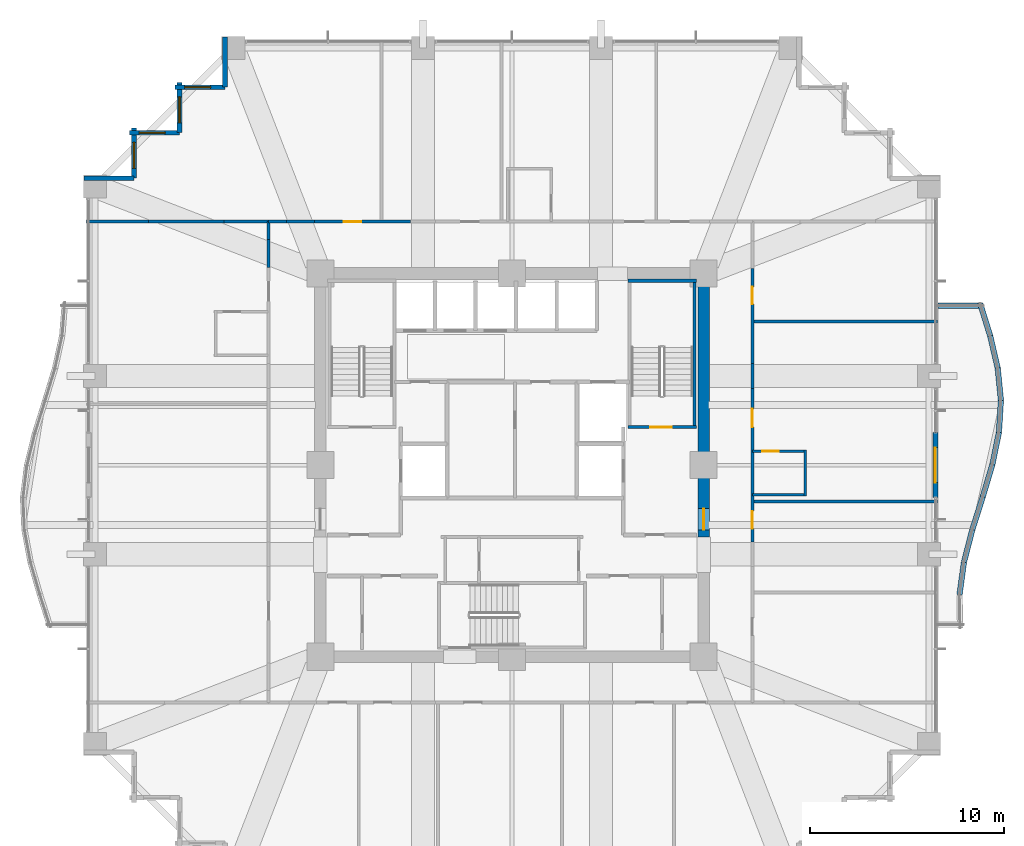
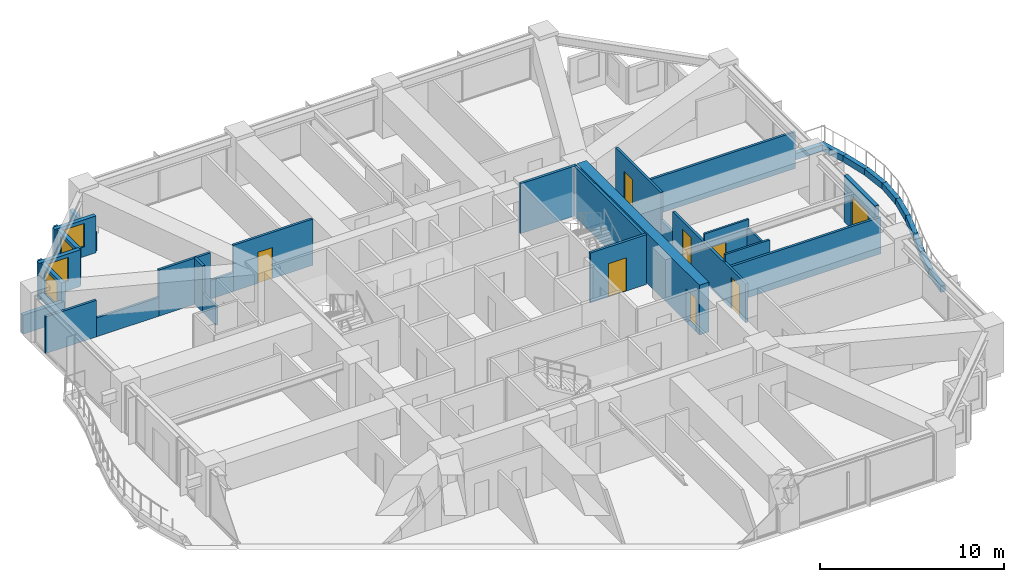
# One storey, part 36 of 39: 37 walls, 8 doors, 4 windows, 12 openings.
"""IFC4 building model written with IfcOpenShell, lengths in metres."""

import ifcopenshell
import ifcopenshell.guid

model = None  # the IFC model being written
_history = None  # IfcOwnerHistory: only IFC2X3 demands one
_inside = {}  # id of a spatial element -> (the spatial element, [elements in it])
_under = {}  # id of a project, library or spatial element -> (it, [spatial elements below it])
_declared = {}  # id of a project -> (the project, [libraries it declares])
_typed = {}  # id of a type object -> (the type object, [elements of that type])
_made_of = {}  # id of a material, layer set ... -> (it, [elements and type objects made of it])


def new_model(schema):
    """Start an empty IFC model of exactly this schema.

    Asked for "IFC4X3", IfcOpenShell would pick the latest addendum, in which some entities
    have other attributes; the version numbers below select the first issue.
    IFC2X3 requires an IfcOwnerHistory on every rooted entity: one is made here for all.
    """
    global model, _history
    if schema == "IFC4X3":
        model = ifcopenshell.file(schema_version=(4, 3, 0, 0))
    else:
        model = ifcopenshell.file(schema=schema)
    _inside.clear()
    _under.clear()
    _declared.clear()
    _typed.clear()
    _made_of.clear()
    _history = None
    if model.schema == "IFC2X3":
        org = make("IfcOrganization", Name="unknown")
        user = make(
            "IfcPersonAndOrganization",
            ThePerson=make("IfcPerson", FamilyName="unknown"),
            TheOrganization=org,
        )
        app = make(
            "IfcApplication",
            ApplicationDeveloper=org,
            Version="unknown",
            ApplicationFullName="unknown",
            ApplicationIdentifier="unknown",
        )
        _history = make(
            "IfcOwnerHistory",
            OwningUser=user,
            OwningApplication=app,
            ChangeAction="ADDED",
            CreationDate=0,
        )
    return model


def make(cls, **values):
    """One entity of the class cls with the attributes given. An attribute that is None is left unset."""
    return model.create_entity(
        cls, **{name: value for name, value in values.items() if value is not None}
    )


def rooted(cls, **values):
    """An entity with a GlobalId (a new one), such as an element, a storey or a relation."""
    return make(cls, GlobalId=ifcopenshell.guid.new(), OwnerHistory=_history, **values)


def si_unit(unit_type, name, prefix=None):
    """IfcSIUnit, for example si_unit("LENGTHUNIT", "METRE", prefix="MILLI")."""
    return make("IfcSIUnit", UnitType=unit_type, Prefix=prefix, Name=name)


def assignment(units):
    """IfcUnitAssignment: the units of a project."""
    return None if units is None else make("IfcUnitAssignment", Units=units)


def point(xyz):
    """IfcCartesianPoint."""
    return None if xyz is None else make("IfcCartesianPoint", Coordinates=xyz)


def direction(xyz):
    """IfcDirection."""
    return None if xyz is None else make("IfcDirection", DirectionRatios=xyz)


def frame(location, z_axis=None, x_axis=None):
    """IfcAxis2Placement3D, a coordinate frame: its origin and axes. An axis left out is left unset."""
    return make(
        "IfcAxis2Placement3D",
        Location=point(location),
        Axis=direction(z_axis),
        RefDirection=direction(x_axis),
    )


def frame_2d(location, x_axis=None):
    """IfcAxis2Placement2D, a coordinate frame in the plane: its origin and x axis."""
    return make(
        "IfcAxis2Placement2D", Location=point(location), RefDirection=direction(x_axis)
    )


def origin():
    """The frame at (0, 0, 0) with its axes left unset."""
    return frame((0.0, 0.0, 0.0))


def place(relative_to, where):
    """IfcLocalPlacement: puts the frame where relative to a parent placement (None: the world)."""
    return make(
        "IfcLocalPlacement", PlacementRelTo=relative_to, RelativePlacement=where
    )


def context(
    kind, dimensions, precision=None, world=None, true_north=None, identifier=None
):
    """IfcGeometricRepresentationContext, for example the 3D "Model" context."""
    return make(
        "IfcGeometricRepresentationContext",
        ContextIdentifier=identifier,
        ContextType=kind,
        CoordinateSpaceDimension=dimensions,
        Precision=precision,
        WorldCoordinateSystem=world,
        TrueNorth=true_north,
    )


def subcontext(parent, identifier, kind, view, scale=None):
    """IfcGeometricRepresentationSubContext, for example "Body" below "Model"."""
    return make(
        "IfcGeometricRepresentationSubContext",
        ContextIdentifier=identifier,
        ContextType=kind,
        ParentContext=parent,
        TargetScale=scale,
        TargetView=view,
    )


def project(units=None, contexts=None):
    """IfcProject with its units and contexts."""
    return rooted(
        "IfcProject",
        Name="project",
        RepresentationContexts=contexts,
        UnitsInContext=assignment(units),
    )


def spatial(cls, under=None, at=None, **own):
    """A site, building, storey or space (cls), placed at a placement, below another one or the project."""
    s = rooted(cls, ObjectPlacement=at, **own)
    if under is not None:
        _under.setdefault(under.id(), (under, []))[1].append(s)
    return s


def profile(cls, at=None, kind="AREA", **sizes):
    """A parametric profile (cls). Its sizes go by their IFC names, for example OverallWidth=200.0."""
    return make(cls, ProfileType=kind, Position=at, **sizes)


def rectangle(**sizes):
    """IfcRectangleProfileDef."""
    return profile("IfcRectangleProfileDef", **sizes)


def extrude(swept, where, along, depth):
    """IfcExtrudedAreaSolid: the profile swept, set in the frame where, extruded along a direction by depth."""
    return make(
        "IfcExtrudedAreaSolid",
        SweptArea=swept,
        Position=where,
        ExtrudedDirection=direction(along),
        Depth=depth,
    )


def shape(context_of_items, identifier, shape_type, items):
    """IfcShapeRepresentation: the items that make up one representation, for example the "Body"."""
    return make(
        "IfcShapeRepresentation",
        ContextOfItems=context_of_items,
        RepresentationIdentifier=identifier,
        RepresentationType=shape_type,
        Items=items,
    )


def material(Name=None, Category=None):
    """IfcMaterial."""
    return make("IfcMaterial", Name=Name, Category=Category)


def layer(
    of_material, thickness, ventilated=None, Name=None, Category=None, Priority=None
):
    """IfcMaterialLayer: one layer of a wall or slab, of a material (None: an air gap)."""
    return make(
        "IfcMaterialLayer",
        Material=of_material,
        LayerThickness=thickness,
        IsVentilated=ventilated,
        Name=Name,
        Category=Category,
        Priority=Priority,
    )


def layer_set(layers, Name=None):
    """IfcMaterialLayerSet."""
    return make("IfcMaterialLayerSet", MaterialLayers=layers, LayerSetName=Name)


def made_of(thing, what):
    """Note that an element or type object is made of a material, layer set ...; save() writes the relation."""
    if what is not None:
        _made_of.setdefault(what.id(), (what, []))[1].append(thing)
    return thing


def type_object(cls, material=None, **own):
    """A type object (cls), such as IfcWallType, which elements share."""
    return made_of(rooted(cls, **own), material)


def element(
    cls,
    number,
    at=None,
    inside=None,
    cuts=None,
    type_object=None,
    material=None,
    context=None,
    identifier="Body",
    shape_type=None,
    held_by="IfcProductDefinitionShape",
    body=None,
    shapes=None,
    **own,
):
    """One element of the class cls, such as IfcWall. Its Tag is "e" and its number.

    at: its placement. inside: the storey or other place that contains it. cuts: it is an
    opening in that element (IfcRelVoidsElement). A single representation is given by context,
    identifier, shape_type and body (its items); several are given by shapes. held_by: the class
    of the entity that holds the representations. save() writes the other relations.
    """
    e = rooted(cls, Tag="e%d" % number, ObjectPlacement=at, **own)
    if body is not None:
        shapes = [shape(context, identifier, shape_type, body)]
    if shapes is not None:
        e.Representation = make(held_by, Representations=shapes)
    if inside is not None:
        _inside.setdefault(inside.id(), (inside, []))[1].append(e)
    if cuts is not None:
        rooted(
            "IfcRelVoidsElement", RelatingBuildingElement=cuts, RelatedOpeningElement=e
        )
    if type_object is not None:
        _typed.setdefault(type_object.id(), (type_object, []))[1].append(e)
    return made_of(e, material)


def fill(opening, filler):
    """IfcRelFillsElement: the door or window that sits in an opening."""
    return rooted(
        "IfcRelFillsElement",
        RelatingOpeningElement=opening,
        RelatedBuildingElement=filler,
    )


def aggregate(whole, parts):
    """IfcRelAggregates: a whole, such as a stair, and the parts it consists of."""
    return rooted("IfcRelAggregates", RelatingObject=whole, RelatedObjects=parts)


def save(model, path):
    """Write the relations noted so far, then the file.

    IfcRelAggregates (storeys below a building ...), IfcRelContainedInSpatialStructure (elements
    in a storey), IfcRelDefinesByType, IfcRelAssociatesMaterial and IfcRelDeclares: one each for
    every whole, place, type object, material and project.
    """
    for whole, parts in _under.values():
        aggregate(whole, parts)
    for where, things in _inside.values():
        rooted(
            "IfcRelContainedInSpatialStructure",
            RelatedElements=things,
            RelatingStructure=where,
        )
    for kind, things in _typed.values():
        rooted("IfcRelDefinesByType", RelatedObjects=things, RelatingType=kind)
    for what, things in _made_of.values():
        rooted("IfcRelAssociatesMaterial", RelatedObjects=things, RelatingMaterial=what)
    for by, libraries in _declared.values():
        rooted("IfcRelDeclares", RelatingContext=by, RelatedDefinitions=libraries)
    model.write(path)


model = new_model("IFC4")

# Units and contexts
model_context = context("Model", 3, precision=1e-05, world=origin(), true_north=direction((0.0, 1.0)))
body_context = subcontext(model_context, "Body", "Model", "MODEL_VIEW")
ifc_project = project(units=[si_unit("LENGTHUNIT", "METRE"), si_unit("AREAUNIT", "SQUARE_METRE"), si_unit("VOLUMEUNIT", "CUBIC_METRE"), si_unit("PLANEANGLEUNIT", "RADIAN"), si_unit("MASSUNIT", "GRAM", prefix="KILO")], contexts=[model_context])

# Site, building, storey
site_placement = place(None, origin())
site = spatial("IfcSite", under=ifc_project, at=site_placement, CompositionType="ELEMENT")
building_placement = place(site_placement, origin())
building = spatial("IfcBuilding", under=site, at=building_placement, Name="Kolvaren Belvedere", CompositionType="ELEMENT")
storey_placement = place(building_placement, frame((0.0, 0.0, 40.300048828125)))
storey = spatial("IfcBuildingStorey", under=building, at=storey_placement, Name="L11", CompositionType="ELEMENT", Elevation=40.300048828125)

# Wall, opening, door
ifc_material_1 = material(Name="Concrete C60/75", Category="concrete")
ifc_layer_1 = layer(ifc_material_1, 0.60009765625)
ifc_layer_set_1 = layer_set([ifc_layer_1], Name="Concrete C60/75")
wall_type_1 = type_object("IfcWallType", Name="CW-CORE-600", PredefinedType="SHEAR", material=ifc_layer_set_1)
wall_1_placement = place(storey_placement, frame((9.89990234375, -3.699951171875, 0.0), z_axis=(0.0, 0.0, 1.0), x_axis=(0.0, 1.0, 0.0)))
wall_1 = element("IfcWall", 1, at=wall_1_placement, inside=storey, type_object=wall_type_1, Name="L11 East Core Shear Wall 2", PredefinedType="SHEAR", context=body_context, shape_type="SweptSolid", body=[
    extrude(rectangle(XDim=13.300048828125, YDim=0.60009765625, at=frame_2d((6.64990234375, 0.0))), origin(), (0.0, 0.0, 1.0), 3.300048828125),
])
opening_1_placement = place(wall_1_placement, frame((0.35009765625, 0.0, 0.0)))
opening_1 = element("IfcOpeningElement", 2, at=opening_1_placement, cuts=wall_1, Name="Opening D-FD90", PredefinedType="OPENING", context=body_context, shape_type="SweptSolid", body=[
    extrude(rectangle(XDim=1.10009765625, YDim=2.199951171875, at=frame_2d((0.550048828125, 1.10009765625))), frame((0.0, 0.31005859375, 0.0), z_axis=(0.0, -1.0, 0.0), x_axis=(1.0, 0.0, 0.0)), (0.0, 0.0, 1.0), 0.6201171875),
])
ifc_material_2 = material(Name="Painted hollow stainless steel", Category="steel")
door_type_1 = type_object("IfcDoorType", Name="DR-FD90-1100", OperationType="NOTDEFINED", PredefinedType="DOOR", material=ifc_material_2)
door_1_placement = place(opening_1_placement, origin())
door_1 = element("IfcDoor", 3, at=door_1_placement, inside=storey, type_object=door_type_1, Name="L11 East Firefighting Lobby Fire Door", OperationType="SINGLE_SWING_RIGHT", OverallHeight=2.199951171875, OverallWidth=1.10009765625, PredefinedType="DOOR", context=body_context, shape_type="SweptSolid", body=[
    extrude(rectangle(XDim=1.10009765625, YDim=2.199951171875, at=frame_2d((0.550048828125, 1.10009765625))), frame((0.0, 0.02490234375, 0.0), z_axis=(0.0, -1.0, 0.0), x_axis=(1.0, 0.0, 0.0)), (0.0, 0.0, 1.0), 0.050048828125),
])
fill(opening_1, door_1)

ifc_material_3 = material(Name="Concrete C50/60", Category="concrete")
ifc_layer_2 = layer(ifc_material_3, 0.159912109375)
ifc_layer_set_2 = layer_set([ifc_layer_2], Name="Concrete C50/60")
wall_type_2 = type_object("IfcWallType", Name="CW-STAIR-160", PredefinedType="SHEAR", material=ifc_layer_set_2)
wall_2_placement = place(storey_placement, frame((6.0, 1.969970703125, 0.0), z_axis=(0.0, 0.0, 1.0), x_axis=(1.0, 0.0, 0.0)))
wall_2 = element("IfcWall", 4, at=wall_2_placement, inside=storey, type_object=wall_type_2, Name="L11 Stair ST-2 South Shear Wall", PredefinedType="SHEAR", context=body_context, shape_type="SweptSolid", body=[
    extrude(rectangle(XDim=3.52001953125, YDim=0.159912109375, at=frame_2d((1.760009765625, 0.0))), origin(), (0.0, 0.0, 1.0), 3.300048828125),
])
opening_2_placement = place(wall_2_placement, frame((1.14990234375, 0.0, 0.0)))
opening_2 = element("IfcOpeningElement", 5, at=opening_2_placement, cuts=wall_2, Name="Opening D-FD90", PredefinedType="OPENING", context=body_context, shape_type="SweptSolid", body=[
    extrude(rectangle(XDim=1.10009765625, YDim=2.199951171875, at=frame_2d((0.550048828125, 1.10009765625))), frame((0.0, 0.08984375, 0.0), z_axis=(0.0, -1.0, 0.0), x_axis=(1.0, 0.0, 0.0)), (0.0, 0.0, 1.0), 0.179931640625),
])
door_2_placement = place(opening_2_placement, origin())
door_2 = element("IfcDoor", 6, at=door_2_placement, inside=storey, type_object=door_type_1, Name="L11 Stair ST-2 Fire Door", OperationType="SINGLE_SWING_RIGHT", OverallHeight=2.199951171875, OverallWidth=1.10009765625, PredefinedType="DOOR", context=body_context, shape_type="SweptSolid", body=[
    extrude(rectangle(XDim=1.10009765625, YDim=2.199951171875, at=frame_2d((0.550048828125, 1.10009765625))), frame((0.0, 0.02490234375, 0.0), z_axis=(0.0, -1.0, 0.0), x_axis=(1.0, 0.0, 0.0)), (0.0, 0.0, 1.0), 0.050048828125),
])
fill(opening_2, door_2)

# Walls
wall_3_placement = place(storey_placement, frame((6.0, 9.530029296875, 0.0), z_axis=(0.0, 0.0, 1.0), x_axis=(1.0, 0.0, 0.0)))
element("IfcWall", 7, at=wall_3_placement, inside=storey, type_object=wall_type_2, Name="L11 Stair ST-2 North Shear Wall", PredefinedType="SHEAR", context=body_context, shape_type="SweptSolid", body=[
    extrude(rectangle(XDim=3.52001953125, YDim=0.159912109375, at=frame_2d((1.760009765625, 0.0))), origin(), (0.0, 0.0, 1.0), 3.300048828125),
])
wall_4_placement = place(storey_placement, frame((9.429931640625, 1.969970703125, 0.0), z_axis=(0.0, 0.0, 1.0), x_axis=(0.0, 1.0, 0.0)))
element("IfcWall", 8, at=wall_4_placement, inside=storey, type_object=wall_type_2, Name="L11 Stair ST-2 East Shear Wall", PredefinedType="SHEAR", context=body_context, shape_type="SweptSolid", body=[
    extrude(rectangle(XDim=7.56005859375, YDim=0.159912109375, at=frame_2d((3.780029296875, 0.0))), origin(), (0.0, 0.0, 1.0), 3.300048828125),
])
ifc_material_4 = material(Name="Gypsum fire-rated partition assembly", Category="gypsum")
ifc_layer_3 = layer(ifc_material_4, 0.14990234375)
ifc_layer_set_3 = layer_set([ifc_layer_3], Name="Gypsum fire-rated partition assembly")
wall_type_3 = type_object("IfcWallType", Name="WL-CORR-150", PredefinedType="PARTITIONING", material=ifc_layer_set_3)
wall_5_placement = place(storey_placement, frame((-12.580078125, 12.580078125, 0.0), z_axis=(0.0, 0.0, 1.0), x_axis=(1.0, 0.0, 0.0)))
element("IfcWall", 9, at=wall_5_placement, inside=storey, type_object=wall_type_3, Name="L11 North Corridor Wall", PredefinedType="PARTITIONING", context=body_context, shape_type="SweptSolid", body=[
    extrude(rectangle(XDim=0.92529296875, YDim=0.14990234375, at=frame_2d((0.462646484375, 0.0))), origin(), (0.0, 0.0, 1.0), 3.06005859375),
])
wall_6_placement = place(storey_placement, frame((-11.65478515625, 12.580078125, 0.0), z_axis=(0.0, 0.0, 1.0), x_axis=(1.0, 0.0, 0.0)))
element("IfcWall", 10, at=wall_6_placement, inside=storey, type_object=wall_type_3, Name="L11 North Corridor Wall", PredefinedType="PARTITIONING", context=body_context, shape_type="SweptSolid", body=[
    extrude(rectangle(XDim=1.439208984375, YDim=0.14990234375, at=frame_2d((0.7197265625, 0.0))), origin(), (0.0, 0.0, 1.0), 1.244873046875),
])

# Wall, opening, door
wall_7_placement = place(storey_placement, frame((-10.215576171875, 12.580078125, 0.0), z_axis=(0.0, 0.0, 1.0), x_axis=(1.0, 0.0, 0.0)))
wall_7 = element("IfcWall", 11, at=wall_7_placement, inside=storey, type_object=wall_type_3, Name="L11 North Corridor Wall", PredefinedType="PARTITIONING", context=body_context, shape_type="SweptSolid", body=[
    extrude(rectangle(XDim=4.9736328125, YDim=0.14990234375, at=frame_2d((2.48681640625, 0.0))), origin(), (0.0, 0.0, 1.0), 3.06005859375),
])
opening_3_placement = place(wall_7_placement, frame((1.535400390625, 0.0, 0.0)))
opening_3 = element("IfcOpeningElement", 12, at=opening_3_placement, cuts=wall_7, Name="Opening D-INT90", PredefinedType="OPENING", context=body_context, shape_type="SweptSolid", body=[
    extrude(rectangle(XDim=0.89990234375, YDim=2.06005859375, at=frame_2d((0.449951171875, 1.030029296875))), frame((0.0, 0.0849609375, 0.0), z_axis=(0.0, -1.0, 0.0), x_axis=(1.0, 0.0, 0.0)), (0.0, 0.0, 1.0), 0.169921875),
])
ifc_material_5 = material(Name="Stained Pacific white oak", Category="timber")
door_type_2 = type_object("IfcDoorType", Name="DR-INT-900", OperationType="NOTDEFINED", PredefinedType="DOOR", material=ifc_material_5)
door_3_placement = place(opening_3_placement, origin())
door_3 = element("IfcDoor", 13, at=door_3_placement, inside=storey, type_object=door_type_2, Name="L11 Lounge 1112 Door", OperationType="SINGLE_SWING_RIGHT", OverallHeight=2.06005859375, OverallWidth=0.89990234375, PredefinedType="DOOR", context=body_context, shape_type="SweptSolid", body=[
    extrude(rectangle(XDim=0.89990234375, YDim=2.06005859375, at=frame_2d((0.449951171875, 1.030029296875))), frame((0.0, 0.02490234375, 0.0), z_axis=(0.0, -1.0, 0.0), x_axis=(1.0, 0.0, 0.0)), (0.0, 0.0, 1.0), 0.050048828125),
])
fill(opening_3, door_3)

# Walls
wall_8_placement = place(storey_placement, frame((-12.580078125, 10.215576171875, 0.0), z_axis=(0.0, 0.0, 1.0), x_axis=(0.0, 1.0, 0.0)))
element("IfcWall", 14, at=wall_8_placement, inside=storey, type_object=wall_type_3, Name="L11 West Corridor Wall", PredefinedType="PARTITIONING", context=body_context, shape_type="SweptSolid", body=[
    extrude(rectangle(XDim=1.439208984375, YDim=0.14990234375, at=frame_2d((0.7197265625, 0.0))), origin(), (0.0, 0.0, 1.0), 1.244873046875),
])
wall_9_placement = place(storey_placement, frame((-12.580078125, 11.65478515625, 0.0), z_axis=(0.0, 0.0, 1.0), x_axis=(0.0, 1.0, 0.0)))
element("IfcWall", 15, at=wall_9_placement, inside=storey, type_object=wall_type_3, Name="L11 West Corridor Wall", PredefinedType="PARTITIONING", context=body_context, shape_type="SweptSolid", body=[
    extrude(rectangle(XDim=0.92529296875, YDim=0.14990234375, at=frame_2d((0.462646484375, 0.0))), origin(), (0.0, 0.0, 1.0), 3.06005859375),
])

# Wall, openings, doors
wall_10_placement = place(storey_placement, frame((12.419921875, -3.9580078125, 0.0), z_axis=(0.0, 0.0, 1.0), x_axis=(0.0, 1.0, 0.0)))
wall_10 = element("IfcWall", 16, at=wall_10_placement, inside=storey, type_object=wall_type_3, Name="L11 East Corridor Wall", PredefinedType="PARTITIONING", context=body_context, shape_type="SweptSolid", body=[
    extrude(rectangle(XDim=7.916015625, YDim=0.14990234375, at=frame_2d((3.9580078125, 0.0))), origin(), (0.0, 0.0, 1.0), 2.5849609375),
])
opening_4_placement = place(wall_10_placement, frame((0.682373046875, 0.0, 0.0)))
opening_4 = element("IfcOpeningElement", 17, at=opening_4_placement, cuts=wall_10, Name="Opening D-INT90", PredefinedType="OPENING", context=body_context, shape_type="SweptSolid", body=[
    extrude(rectangle(XDim=0.89990234375, YDim=2.06005859375, at=frame_2d((0.449951171875, 1.030029296875))), frame((0.0, 0.0849609375, 0.0), z_axis=(0.0, -1.0, 0.0), x_axis=(1.0, 0.0, 0.0)), (0.0, 0.0, 1.0), 0.169921875),
])
opening_5_placement = place(wall_10_placement, frame((5.91748046875, 0.0, 0.0)))
opening_5 = element("IfcOpeningElement", 18, at=opening_5_placement, cuts=wall_10, Name="Opening D-FD60", PredefinedType="OPENING", context=body_context, shape_type="SweptSolid", body=[
    extrude(rectangle(XDim=0.949951171875, YDim=2.06005859375, at=frame_2d((0.47509765625, 1.030029296875))), frame((0.0, 0.0849609375, 0.0), z_axis=(0.0, -1.0, 0.0), x_axis=(1.0, 0.0, 0.0)), (0.0, 0.0, 1.0), 0.169921875),
])
ifc_material_6 = material(Name="Acoustic white-oak fire door leaf", Category="timber")
door_type_3 = type_object("IfcDoorType", Name="DR-FD60-950", OperationType="NOTDEFINED", PredefinedType="DOOR", material=ifc_material_6)
door_4_placement = place(opening_5_placement, origin())
door_4 = element("IfcDoor", 19, at=door_4_placement, inside=storey, type_object=door_type_3, Name="L11 King Guest Room 1108 Entry Door", OperationType="SINGLE_SWING_LEFT", OverallHeight=2.06005859375, OverallWidth=0.949951171875, PredefinedType="DOOR", context=body_context, shape_type="SweptSolid", body=[
    extrude(rectangle(XDim=0.949951171875, YDim=2.06005859375, at=frame_2d((0.47509765625, 1.030029296875))), frame((0.0, 0.02490234375, 0.0), z_axis=(0.0, -1.0, 0.0), x_axis=(1.0, 0.0, 0.0)), (0.0, 0.0, 1.0), 0.050048828125),
])
fill(opening_5, door_4)
door_5_placement = place(opening_4_placement, origin())
door_5 = element("IfcDoor", 20, at=door_5_placement, inside=storey, type_object=door_type_2, Name="L11 Lounge 1107 Door", OperationType="SINGLE_SWING_LEFT", OverallHeight=2.06005859375, OverallWidth=0.89990234375, PredefinedType="DOOR", context=body_context, shape_type="SweptSolid", body=[
    extrude(rectangle(XDim=0.89990234375, YDim=2.06005859375, at=frame_2d((0.449951171875, 1.030029296875))), frame((0.0, 0.02490234375, 0.0), z_axis=(0.0, -1.0, 0.0), x_axis=(1.0, 0.0, 0.0)), (0.0, 0.0, 1.0), 0.050048828125),
])
fill(opening_4, door_5)

# Wall
wall_11_placement = place(storey_placement, frame((12.419921875, 3.9580078125, 0.0), z_axis=(0.0, 0.0, 1.0), x_axis=(0.0, 1.0, 0.0)))
element("IfcWall", 21, at=wall_11_placement, inside=storey, type_object=wall_type_3, Name="L11 East Corridor Wall", PredefinedType="PARTITIONING", context=body_context, shape_type="SweptSolid", body=[
    extrude(rectangle(XDim=1.283935546875, YDim=0.14990234375, at=frame_2d((0.64208984375, 0.0))), origin(), (0.0, 0.0, 1.0), 1.244873046875),
])

# Wall, opening, door
wall_12_placement = place(storey_placement, frame((12.419921875, 5.241943359375, 0.0), z_axis=(0.0, 0.0, 1.0), x_axis=(0.0, 1.0, 0.0)))
wall_12 = element("IfcWall", 22, at=wall_12_placement, inside=storey, type_object=wall_type_3, Name="L11 East Corridor Wall", PredefinedType="PARTITIONING", context=body_context, shape_type="SweptSolid", body=[
    extrude(rectangle(XDim=4.911865234375, YDim=0.14990234375, at=frame_2d((2.4560546875, 0.0))), origin(), (0.0, 0.0, 1.0), 3.06005859375),
])
opening_6_placement = place(wall_12_placement, frame((3.074951171875, 0.0, 0.0)))
opening_6 = element("IfcOpeningElement", 23, at=opening_6_placement, cuts=wall_12, Name="Opening D-INT90", PredefinedType="OPENING", context=body_context, shape_type="SweptSolid", body=[
    extrude(rectangle(XDim=0.89990234375, YDim=2.06005859375, at=frame_2d((0.449951171875, 1.030029296875))), frame((0.0, 0.0849609375, 0.0), z_axis=(0.0, -1.0, 0.0), x_axis=(1.0, 0.0, 0.0)), (0.0, 0.0, 1.0), 0.169921875),
])
door_6_placement = place(opening_6_placement, origin())
door_6 = element("IfcDoor", 24, at=door_6_placement, inside=storey, type_object=door_type_2, Name="L11 Lounge 1109 Door", OperationType="SINGLE_SWING_RIGHT", OverallHeight=2.06005859375, OverallWidth=0.89990234375, PredefinedType="DOOR", context=body_context, shape_type="SweptSolid", body=[
    extrude(rectangle(XDim=0.89990234375, YDim=2.06005859375, at=frame_2d((0.449951171875, 1.030029296875))), frame((0.0, 0.02490234375, 0.0), z_axis=(0.0, -1.0, 0.0), x_axis=(1.0, 0.0, 0.0)), (0.0, 0.0, 1.0), 0.050048828125),
])
fill(opening_6, door_6)

ifc_material_7 = material(Name="Insulated pale-metal facade wall assembly", Category="aluminium")
ifc_layer_4 = layer(ifc_material_7, 0.239990234375)
ifc_layer_set_4 = layer_set([ifc_layer_4], Name="Insulated pale-metal facade wall assembly")
wall_type_4 = type_object("IfcWallType", Name="WL-EXT-240", PredefinedType="STANDARD", material=ifc_layer_set_4)
wall_13_placement = place(storey_placement, frame((21.8798828125, 1.679931640625, 0.0), z_axis=(0.0, 0.0, 1.0), x_axis=(0.0, -1.0, 0.0)))
wall_13 = element("IfcWall", 25, at=wall_13_placement, inside=storey, type_object=wall_type_4, Name="L11 East Terrace Portal Wall", PredefinedType="STANDARD", context=body_context, shape_type="SweptSolid", body=[
    extrude(rectangle(XDim=3.35986328125, YDim=0.239990234375, at=frame_2d((1.679931640625, 0.0))), origin(), (0.0, 0.0, 1.0), 3.06005859375),
])
opening_7_placement = place(wall_13_placement, frame((0.780029296875, 0.0, 0.0)))
opening_7 = element("IfcOpeningElement", 26, at=opening_7_placement, cuts=wall_13, Name="Opening DB-1800", PredefinedType="OPENING", context=body_context, shape_type="SweptSolid", body=[
    extrude(rectangle(XDim=1.800048828125, YDim=2.199951171875, at=frame_2d((0.89990234375, 1.10009765625))), frame((0.0, 0.1298828125, 0.0), z_axis=(0.0, -1.0, 0.0), x_axis=(1.0, 0.0, 0.0)), (0.0, 0.0, 1.0), 0.260009765625),
])
ifc_material_8 = material(Name="Thermally broken pale-metal aluminium & low-iron glass", Category="aluminium")
door_type_4 = type_object("IfcDoorType", Name="DR-BAL-1800", OperationType="DOUBLE_DOOR_SLIDING", PredefinedType="DOOR", material=ifc_material_8)
door_7_placement = place(opening_7_placement, origin())
door_7 = element("IfcDoor", 27, at=door_7_placement, inside=storey, type_object=door_type_4, Name="L11 East Planted Terrace Sliding Door", OperationType="DOUBLE_DOOR_SLIDING", OverallHeight=2.199951171875, OverallWidth=1.800048828125, PredefinedType="DOOR", context=body_context, shape_type="SweptSolid", body=[
    extrude(rectangle(XDim=1.800048828125, YDim=2.199951171875, at=frame_2d((0.89990234375, 1.10009765625))), frame((0.0, 0.02490234375, 0.0), z_axis=(0.0, -1.0, 0.0), x_axis=(1.0, 0.0, 0.0)), (0.0, 0.0, 1.0), 0.050048828125),
])
fill(opening_7, door_7)

# Wall
wall_14_placement = place(storey_placement, frame((-14.830078125, 19.530029296875, 0.0), z_axis=(0.0, 0.0, 1.0), x_axis=(0.0, 1.0, 0.0)))
element("IfcWall", 28, at=wall_14_placement, inside=storey, type_object=wall_type_4, Name="L11 Serrated Corner Facade Wall 16", PredefinedType="STANDARD", context=body_context, shape_type="SweptSolid", body=[
    extrude(rectangle(XDim=2.590087890625, YDim=0.239990234375, at=frame_2d((1.294921875, 0.0))), origin(), (0.0, 0.0, 1.0), 1.2548828125),
])

# Wall, opening, window
wall_15_placement = place(storey_placement, frame((-17.419921875, 19.530029296875, 0.0), z_axis=(0.0, 0.0, 1.0), x_axis=(1.0, 0.0, 0.0)))
wall_15 = element("IfcWall", 29, at=wall_15_placement, inside=storey, type_object=wall_type_4, Name="L11 Serrated Corner Facade Wall 17", PredefinedType="STANDARD", context=body_context, shape_type="SweptSolid", body=[
    extrude(rectangle(XDim=2.58984375, YDim=0.239990234375, at=frame_2d((1.294921875, 0.0))), origin(), (0.0, 0.0, 1.0), 2.43896484375),
])
opening_8_placement = place(wall_15_placement, frame((0.5, 0.0, 0.64990234375)))
opening_8 = element("IfcOpeningElement", 30, at=opening_8_placement, cuts=wall_15, Name="Opening W-1350", PredefinedType="OPENING", context=body_context, shape_type="SweptSolid", body=[
    extrude(rectangle(XDim=1.35009765625, YDim=1.550048828125, at=frame_2d((0.675048828125, 0.77490234375))), frame((0.0, 0.1298828125, 0.0), z_axis=(0.0, -1.0, 0.0), x_axis=(1.0, 0.0, 0.0)), (0.0, 0.0, 1.0), 0.260009765625),
])
ifc_material_9 = material(Name="Low-iron triple insulated glass", Category="glass")
window_type = type_object("IfcWindowType", Name="WN-CORN-1350", PartitioningType="SINGLE_PANEL", PredefinedType="WINDOW", material=ifc_material_9)
window_1_placement = place(opening_8_placement, origin())
window_1 = element("IfcWindow", 31, at=window_1_placement, inside=storey, type_object=window_type, Name="L11 Serrated Corner Vision Window 17", OverallHeight=1.550048828125, OverallWidth=1.35009765625, PartitioningType="SINGLE_PANEL", PredefinedType="WINDOW", context=body_context, shape_type="SweptSolid", body=[
    extrude(rectangle(XDim=1.35009765625, YDim=1.550048828125, at=frame_2d((0.675048828125, 0.77490234375))), frame((0.0, 0.030029296875, 0.0), z_axis=(0.0, -1.0, 0.0), x_axis=(1.0, 0.0, 0.0)), (0.0, 0.0, 1.0), 0.06005859375),
])
fill(opening_8, window_1)

wall_16_placement = place(storey_placement, frame((-17.179931640625, 17.179931640625, 0.0), z_axis=(0.0, 0.0, 1.0), x_axis=(0.0, 1.0, 0.0)))
wall_16 = element("IfcWall", 32, at=wall_16_placement, inside=storey, type_object=wall_type_4, Name="L11 Serrated Corner Facade Wall 18", PredefinedType="STANDARD", context=body_context, shape_type="SweptSolid", body=[
    extrude(rectangle(XDim=2.590087890625, YDim=0.239990234375, at=frame_2d((1.294921875, 0.0))), origin(), (0.0, 0.0, 1.0), 2.43896484375),
])
opening_9_placement = place(wall_16_placement, frame((0.5, 0.0, 0.64990234375)))
opening_9 = element("IfcOpeningElement", 33, at=opening_9_placement, cuts=wall_16, Name="Opening W-1350", PredefinedType="OPENING", context=body_context, shape_type="SweptSolid", body=[
    extrude(rectangle(XDim=1.35009765625, YDim=1.550048828125, at=frame_2d((0.675048828125, 0.77490234375))), frame((0.0, 0.1298828125, 0.0), z_axis=(0.0, -1.0, 0.0), x_axis=(1.0, 0.0, 0.0)), (0.0, 0.0, 1.0), 0.260009765625),
])
window_2_placement = place(opening_9_placement, origin())
window_2 = element("IfcWindow", 34, at=window_2_placement, inside=storey, type_object=window_type, Name="L11 Serrated Corner Vision Window 18", OverallHeight=1.550048828125, OverallWidth=1.35009765625, PartitioningType="SINGLE_PANEL", PredefinedType="WINDOW", context=body_context, shape_type="SweptSolid", body=[
    extrude(rectangle(XDim=1.35009765625, YDim=1.550048828125, at=frame_2d((0.675048828125, 0.77490234375))), frame((0.0, 0.030029296875, 0.0), z_axis=(0.0, -1.0, 0.0), x_axis=(1.0, 0.0, 0.0)), (0.0, 0.0, 1.0), 0.06005859375),
])
fill(opening_9, window_2)

wall_17_placement = place(storey_placement, frame((-19.77001953125, 17.179931640625, 0.0), z_axis=(0.0, 0.0, 1.0), x_axis=(1.0, 0.0, 0.0)))
wall_17 = element("IfcWall", 35, at=wall_17_placement, inside=storey, type_object=wall_type_4, Name="L11 Serrated Corner Facade Wall 19", PredefinedType="STANDARD", context=body_context, shape_type="SweptSolid", body=[
    extrude(rectangle(XDim=2.590087890625, YDim=0.239990234375, at=frame_2d((1.294921875, 0.0))), origin(), (0.0, 0.0, 1.0), 2.43896484375),
])
opening_10_placement = place(wall_17_placement, frame((0.5, 0.0, 0.64990234375)))
opening_10 = element("IfcOpeningElement", 36, at=opening_10_placement, cuts=wall_17, Name="Opening W-1350", PredefinedType="OPENING", context=body_context, shape_type="SweptSolid", body=[
    extrude(rectangle(XDim=1.35009765625, YDim=1.550048828125, at=frame_2d((0.675048828125, 0.77490234375))), frame((0.0, 0.1298828125, 0.0), z_axis=(0.0, -1.0, 0.0), x_axis=(1.0, 0.0, 0.0)), (0.0, 0.0, 1.0), 0.260009765625),
])
window_3_placement = place(opening_10_placement, origin())
window_3 = element("IfcWindow", 37, at=window_3_placement, inside=storey, type_object=window_type, Name="L11 Serrated Corner Vision Window 19", OverallHeight=1.550048828125, OverallWidth=1.35009765625, PartitioningType="SINGLE_PANEL", PredefinedType="WINDOW", context=body_context, shape_type="SweptSolid", body=[
    extrude(rectangle(XDim=1.35009765625, YDim=1.550048828125, at=frame_2d((0.675048828125, 0.77490234375))), frame((0.0, 0.030029296875, 0.0), z_axis=(0.0, -1.0, 0.0), x_axis=(1.0, 0.0, 0.0)), (0.0, 0.0, 1.0), 0.06005859375),
])
fill(opening_10, window_3)

wall_18_placement = place(storey_placement, frame((-19.530029296875, 14.830078125, 0.0), z_axis=(0.0, 0.0, 1.0), x_axis=(0.0, 1.0, 0.0)))
wall_18 = element("IfcWall", 38, at=wall_18_placement, inside=storey, type_object=wall_type_4, Name="L11 Serrated Corner Facade Wall 20", PredefinedType="STANDARD", context=body_context, shape_type="SweptSolid", body=[
    extrude(rectangle(XDim=2.58984375, YDim=0.239990234375, at=frame_2d((1.294921875, 0.0))), origin(), (0.0, 0.0, 1.0), 2.43896484375),
])
opening_11_placement = place(wall_18_placement, frame((0.5, 0.0, 0.64990234375)))
opening_11 = element("IfcOpeningElement", 39, at=opening_11_placement, cuts=wall_18, Name="Opening W-1350", PredefinedType="OPENING", context=body_context, shape_type="SweptSolid", body=[
    extrude(rectangle(XDim=1.35009765625, YDim=1.550048828125, at=frame_2d((0.675048828125, 0.77490234375))), frame((0.0, 0.1298828125, 0.0), z_axis=(0.0, -1.0, 0.0), x_axis=(1.0, 0.0, 0.0)), (0.0, 0.0, 1.0), 0.260009765625),
])
window_4_placement = place(opening_11_placement, origin())
window_4 = element("IfcWindow", 40, at=window_4_placement, inside=storey, type_object=window_type, Name="L11 Serrated Corner Vision Window 20", OverallHeight=1.550048828125, OverallWidth=1.35009765625, PartitioningType="SINGLE_PANEL", PredefinedType="WINDOW", context=body_context, shape_type="SweptSolid", body=[
    extrude(rectangle(XDim=1.35009765625, YDim=1.550048828125, at=frame_2d((0.675048828125, 0.77490234375))), frame((0.0, 0.030029296875, 0.0), z_axis=(0.0, -1.0, 0.0), x_axis=(1.0, 0.0, 0.0)), (0.0, 0.0, 1.0), 0.06005859375),
])
fill(opening_11, window_4)

# Walls
wall_19_placement = place(storey_placement, frame((-22.1201171875, 14.830078125, 0.0), z_axis=(0.0, 0.0, 1.0), x_axis=(1.0, 0.0, 0.0)))
element("IfcWall", 41, at=wall_19_placement, inside=storey, type_object=wall_type_4, Name="L11 Serrated Corner Facade Wall 21", PredefinedType="STANDARD", context=body_context, shape_type="SweptSolid", body=[
    extrude(rectangle(XDim=2.590087890625, YDim=0.239990234375, at=frame_2d((1.294921875, 0.0))), origin(), (0.0, 0.0, 1.0), 1.2548828125),
])
ifc_material_10 = material(Name="Gypsum acoustic partition assembly", Category="gypsum")
ifc_layer_5 = layer(ifc_material_10, 0.14990234375)
ifc_layer_set_5 = layer_set([ifc_layer_5], Name="Gypsum acoustic partition assembly")
wall_type_5 = type_object("IfcWallType", Name="WL-PART-150", PredefinedType="PARTITIONING", material=ifc_layer_set_5)
wall_20_placement = place(storey_placement, frame((-21.97998046875, 12.580078125, 0.0), z_axis=(0.0, 0.0, 1.0), x_axis=(1.0, 0.0, 0.0)))
element("IfcWall", 42, at=wall_20_placement, inside=storey, type_object=wall_type_5, Name="L11 Wing Divider PW-L11-QNW", PredefinedType="PARTITIONING", context=body_context, shape_type="SweptSolid", body=[
    extrude(rectangle(XDim=3.18798828125, YDim=0.14990234375, at=frame_2d((1.593994140625, 0.0))), origin(), (0.0, 0.0, 1.0), 2.428955078125),
])
wall_21_placement = place(storey_placement, frame((-18.7919921875, 12.580078125, 0.0), z_axis=(0.0, 0.0, 1.0), x_axis=(1.0, 0.0, 0.0)))
element("IfcWall", 43, at=wall_21_placement, inside=storey, type_object=wall_type_5, Name="L11 Wing Divider PW-L11-QNW", PredefinedType="PARTITIONING", context=body_context, shape_type="SweptSolid", body=[
    extrude(rectangle(XDim=3.907470703125, YDim=0.14990234375, at=frame_2d((1.95361328125, 0.0))), origin(), (0.0, 0.0, 1.0), 1.244873046875),
])
wall_22_placement = place(storey_placement, frame((-14.884521484375, 12.580078125, 0.0), z_axis=(0.0, 0.0, 1.0), x_axis=(1.0, 0.0, 0.0)))
element("IfcWall", 44, at=wall_22_placement, inside=storey, type_object=wall_type_5, Name="L11 Wing Divider PW-L11-QNW", PredefinedType="PARTITIONING", context=body_context, shape_type="SweptSolid", body=[
    extrude(rectangle(XDim=2.304443359375, YDim=0.14990234375, at=frame_2d((1.15234375, 0.0))), origin(), (0.0, 0.0, 1.0), 3.06005859375),
])
for number, where, z_axis, x_axis, name in (
    (45, (12.419921875, -1.8798828125, 0.0), (0.0, 0.0, 1.0), (1.0, 0.0, 0.0), "L11 East Suite Demising Wall 2"),
    (46, (12.419921875, 7.419921875, 0.0), (0.0, 0.0, 1.0), (1.0, 0.0, 0.0), "L11 East Suite Demising Wall 3"),
):
    element("IfcWall", number, at=place(storey_placement, frame(where, z_axis=z_axis, x_axis=x_axis)), inside=storey, type_object=wall_type_5, Name=name, PredefinedType="PARTITIONING", context=body_context, shape_type="SweptSolid", body=[
        extrude(rectangle(XDim=9.56005859375, YDim=0.14990234375, at=frame_2d((4.780029296875, 0.0))), origin(), (0.0, 0.0, 1.0), 2.428955078125),
    ])
ifc_material_11 = material(Name="Precast concrete C40/50", Category="concrete")
ifc_layer_6 = layer(ifc_material_11, 0.300048828125)
ifc_layer_set_6 = layer_set([ifc_layer_6], Name="Precast concrete C40/50")
wall_type_6 = type_object("IfcWallType", Name="WL-PLANTER-300", PredefinedType="PARAPET", material=ifc_layer_set_6)
wall_23_placement = place(storey_placement, frame((23.12060546875, -6.698486328125, -0.06005859375), z_axis=(0.0, 0.0, 1.0), x_axis=(0.134907602079, 0.990858183042, 0.0)))
element("IfcWall", 47, at=wall_23_placement, inside=storey, type_object=wall_type_6, Name="L11 Precast Structural Planter Wall BAL-E-2", PredefinedType="PARAPET", context=body_context, shape_type="SweptSolid", body=[
    extrude(rectangle(XDim=1.695556640625, YDim=0.280029296875, at=frame_2d((0.84765625, 0.0))), origin(), (0.0, 0.0, 1.0), 0.419921875),
])
wall_24_placement = place(storey_placement, frame((23.352783203125, -5.0, -0.06005859375), z_axis=(0.0, 0.0, 1.0), x_axis=(0.250537405469, 0.968106919953, 0.0)))
element("IfcWall", 48, at=wall_24_placement, inside=storey, type_object=wall_type_6, Name="L11 Precast Structural Planter Wall BAL-E-3", PredefinedType="PARAPET", context=body_context, shape_type="SweptSolid", body=[
    extrude(rectangle(XDim=1.735595703125, YDim=0.280029296875, at=frame_2d((0.86767578125, 0.0))), origin(), (0.0, 0.0, 1.0), 0.419921875),
])
wall_25_placement = place(storey_placement, frame((23.789794921875, -3.3115234375, -0.06005859375), z_axis=(0.0, 0.0, 1.0), x_axis=(0.302523204768, 0.953142020151, 0.0)))
element("IfcWall", 49, at=wall_25_placement, inside=storey, type_object=wall_type_6, Name="L11 Precast Structural Planter Wall BAL-E-4", PredefinedType="PARAPET", context=body_context, shape_type="SweptSolid", body=[
    extrude(rectangle(XDim=1.762451171875, YDim=0.280029296875, at=frame_2d((0.88134765625, 0.0))), origin(), (0.0, 0.0, 1.0), 0.419921875),
])
wall_26_placement = place(storey_placement, frame((24.322021484375, -1.634521484375, -0.06005859375), z_axis=(0.0, 0.0, 1.0), x_axis=(0.284842289601, 0.958574394638, 0.0)))
element("IfcWall", 50, at=wall_26_placement, inside=storey, type_object=wall_type_6, Name="L11 Precast Structural Planter Wall BAL-E-5", PredefinedType="PARAPET", context=body_context, shape_type="SweptSolid", body=[
    extrude(rectangle(XDim=1.752685546875, YDim=0.280029296875, at=frame_2d((0.87646484375, 0.0))), origin(), (0.0, 0.0, 1.0), 0.419921875),
])
wall_27_placement = place(storey_placement, frame((24.818115234375, 0.031982421875, -0.06005859375), z_axis=(0.0, 0.0, 1.0), x_axis=(0.199647526069, 0.979867779516, 0.0)))
element("IfcWall", 51, at=wall_27_placement, inside=storey, type_object=wall_type_6, Name="L11 Precast Structural Planter Wall BAL-E-6", PredefinedType="PARAPET", context=body_context, shape_type="SweptSolid", body=[
    extrude(rectangle(XDim=1.71435546875, YDim=0.280029296875, at=frame_2d((0.857177734375, 0.0))), origin(), (0.0, 0.0, 1.0), 0.419921875),
])
wall_28_placement = place(storey_placement, frame((25.157470703125, 1.689697265625, -0.06005859375), z_axis=(0.0, 0.0, 1.0), x_axis=(0.061059932685, 0.998134101522, 0.0)))
element("IfcWall", 52, at=wall_28_placement, inside=storey, type_object=wall_type_6, Name="L11 Precast Structural Planter Wall BAL-E-7", PredefinedType="PARAPET", context=body_context, shape_type="SweptSolid", body=[
    extrude(rectangle(XDim=1.683349609375, YDim=0.280029296875, at=frame_2d((0.841796875, 0.0))), origin(), (0.0, 0.0, 1.0), 0.419921875),
])
wall_29_placement = place(storey_placement, frame((25.2607421875, 3.343994140625, -0.06005859375), z_axis=(0.0, 0.0, 1.0), x_axis=(-0.099475088112, 0.995040052885, 0.0)))
element("IfcWall", 53, at=wall_29_placement, inside=storey, type_object=wall_type_6, Name="L11 Precast Structural Planter Wall BAL-E-8", PredefinedType="PARAPET", context=body_context, shape_type="SweptSolid", body=[
    extrude(rectangle(XDim=1.6884765625, YDim=0.280029296875, at=frame_2d((0.84423828125, 0.0))), origin(), (0.0, 0.0, 1.0), 0.419921875),
])
wall_30_placement = place(storey_placement, frame((25.09619140625, 5.003662109375, -0.06005859375), z_axis=(0.0, 0.0, 1.0), x_axis=(-0.227019323824, 0.973890253884, 0.0)))
element("IfcWall", 54, at=wall_30_placement, inside=storey, type_object=wall_type_6, Name="L11 Precast Structural Planter Wall BAL-E-9", PredefinedType="PARAPET", context=body_context, shape_type="SweptSolid", body=[
    extrude(rectangle(XDim=1.724853515625, YDim=0.280029296875, at=frame_2d((0.8623046875, 0.0))), origin(), (0.0, 0.0, 1.0), 0.419921875),
])
wall_31_placement = place(storey_placement, frame((24.70751953125, 6.672607421875, -0.06005859375), z_axis=(0.0, 0.0, 1.0), x_axis=(-0.29579229954, 0.955252278476, 0.0)))
element("IfcWall", 55, at=wall_31_placement, inside=storey, type_object=wall_type_6, Name="L11 Precast Structural Planter Wall BAL-E-10", PredefinedType="PARAPET", context=body_context, shape_type="SweptSolid", body=[
    extrude(rectangle(XDim=1.7587890625, YDim=0.280029296875, at=frame_2d((0.87939453125, 0.0))), origin(), (0.0, 0.0, 1.0), 0.419921875),
])
wall_32_placement = place(storey_placement, frame((24.340087890625, 8.239990234375, -0.06005859375), z_axis=(0.0, 0.0, 1.0), x_axis=(-1.0, 0.0, 0.0)))
element("IfcWall", 56, at=wall_32_placement, inside=storey, type_object=wall_type_6, Name="L11 Precast Structural Planter Wall BAL-E-11", PredefinedType="PARAPET", context=body_context, shape_type="SweptSolid", body=[
    extrude(rectangle(XDim=2.340087890625, YDim=0.280029296875, at=frame_2d((1.169921875, 0.0))), origin(), (0.0, 0.0, 1.0), 0.419921875),
])

# Wall, opening, door
ifc_material_12 = material(Name="Moisture-resistant gypsum partition", Category="gypsum")
ifc_layer_7 = layer(ifc_material_12, 0.125)
ifc_layer_set_7 = layer_set([ifc_layer_7], Name="Moisture-resistant gypsum partition")
wall_type_7 = type_object("IfcWallType", Name="WL-WET-125", PredefinedType="PARTITIONING", material=ifc_layer_set_7)
wall_33_placement = place(storey_placement, frame((12.43505859375, 0.718994140625, 0.0), z_axis=(0.0, 0.0, 1.0), x_axis=(1.0, 0.0, 0.0)))
wall_33 = element("IfcWall", 57, at=wall_33_placement, inside=storey, type_object=wall_type_7, Name="L11 Bathroom Partition PW-L11-BTH-8-N", PredefinedType="PARTITIONING", context=body_context, shape_type="SweptSolid", body=[
    extrude(rectangle(XDim=2.7900390625, YDim=0.125, at=frame_2d((1.39501953125, 0.0))), origin(), (0.0, 0.0, 1.0), 3.06005859375),
])
opening_12_placement = place(wall_33_placement, frame((0.5, 0.0, 0.0)))
opening_12 = element("IfcOpeningElement", 58, at=opening_12_placement, cuts=wall_33, Name="Opening D-BTH85", PredefinedType="OPENING", context=body_context, shape_type="SweptSolid", body=[
    extrude(rectangle(XDim=0.85009765625, YDim=2.030029296875, at=frame_2d((0.425048828125, 1.01513671875))), frame((0.0, 0.072509765625, 0.0), z_axis=(0.0, -1.0, 0.0), x_axis=(1.0, 0.0, 0.0)), (0.0, 0.0, 1.0), 0.14501953125),
])
ifc_material_13 = material(Name="Moisture-sealed Pacific white oak", Category="timber")
door_type_5 = type_object("IfcDoorType", Name="DR-BATH-850", OperationType="NOTDEFINED", PredefinedType="DOOR", material=ifc_material_13)
door_8_placement = place(opening_12_placement, origin())
door_8 = element("IfcDoor", 59, at=door_8_placement, inside=storey, type_object=door_type_5, Name="L11 En-Suite Bathroom 1108 Door", OperationType="SINGLE_SWING_RIGHT", OverallHeight=2.030029296875, OverallWidth=0.85009765625, PredefinedType="DOOR", context=body_context, shape_type="SweptSolid", body=[
    extrude(rectangle(XDim=0.85009765625, YDim=2.030029296875, at=frame_2d((0.425048828125, 1.01513671875))), frame((0.0, 0.02490234375, 0.0), z_axis=(0.0, -1.0, 0.0), x_axis=(1.0, 0.0, 0.0)), (0.0, 0.0, 1.0), 0.050048828125),
])
fill(opening_12, door_8)

# Walls
wall_34_placement = place(storey_placement, frame((15.14501953125, -1.591064453125, 0.0), z_axis=(0.0, 0.0, 1.0), x_axis=(0.0, 1.0, 0.0)))
element("IfcWall", 60, at=wall_34_placement, inside=storey, type_object=wall_type_7, Name="L11 Bathroom Partition PW-L11-BTH-8-V", PredefinedType="PARTITIONING", context=body_context, shape_type="SweptSolid", body=[
    extrude(rectangle(XDim=2.3701171875, YDim=0.125, at=frame_2d((1.18505859375, 0.0))), origin(), (0.0, 0.0, 1.0), 2.5849609375),
])
wall_35_placement = place(storey_placement, frame((12.43505859375, -1.531005859375, 0.0), z_axis=(0.0, 0.0, 1.0), x_axis=(1.0, 0.0, 0.0)))
element("IfcWall", 61, at=wall_35_placement, inside=storey, type_object=wall_type_7, Name="L11 Bathroom Partition PW-L11-BTH-8-S", PredefinedType="PARTITIONING", context=body_context, shape_type="SweptSolid", body=[
    extrude(rectangle(XDim=2.7900390625, YDim=0.125, at=frame_2d((1.39501953125, 0.0))), origin(), (0.0, 0.0, 1.0), 3.06005859375),
])

save(model, "model.ifc")
